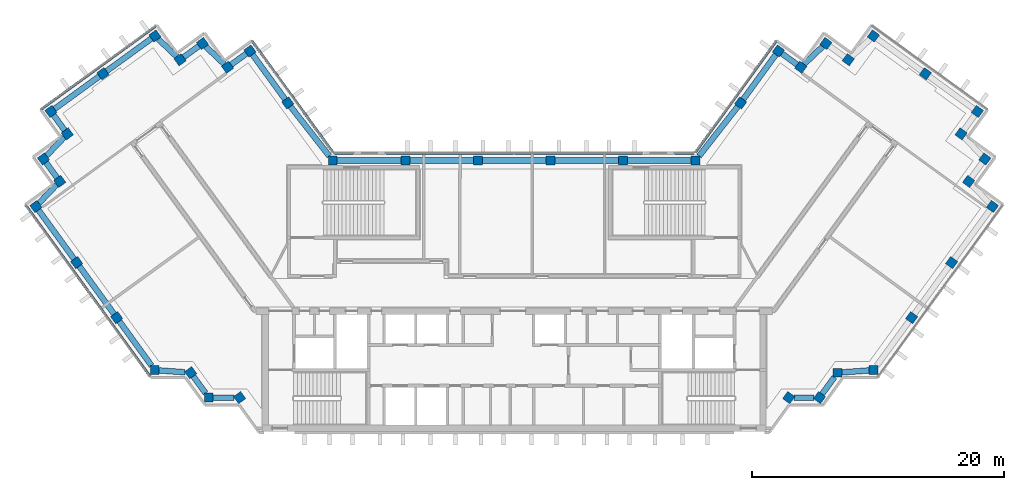
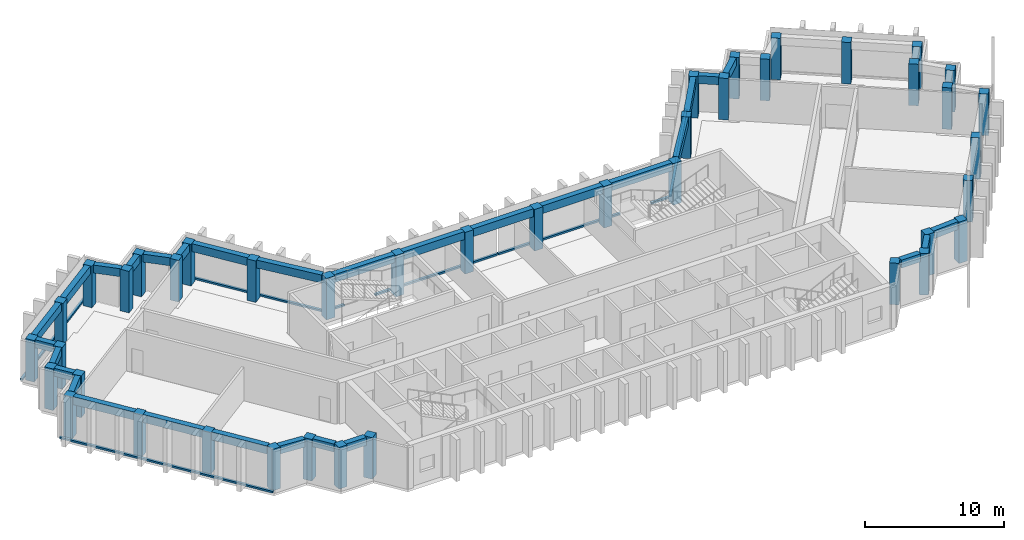
"""IFC4 building model written with IfcOpenShell, lengths in metres."""

from ifc_helpers import new_model, si_unit, direction, frame, origin, origin_2d, place, context, subcontext, project, spatial, rectangle, extrude, material, material_profile, profile_set, type_object, element, aggregate, save


model = new_model("IFC4")

# Units and contexts
model_context = context("Model", 3, precision=1e-05, world=origin(), true_north=direction((0.0, 1.0)))
body_context = subcontext(model_context, "Body", "Model", "MODEL_VIEW")
ifc_project = project(units=[si_unit("LENGTHUNIT", "METRE"), si_unit("AREAUNIT", "SQUARE_METRE"), si_unit("VOLUMEUNIT", "CUBIC_METRE"), si_unit("PLANEANGLEUNIT", "RADIAN"), si_unit("MASSUNIT", "GRAM", prefix="KILO")], contexts=[model_context])

# Site, building, storey
site_placement = place(None, origin())
site = spatial("IfcSite", under=ifc_project, at=site_placement, CompositionType="ELEMENT")
building_placement = place(site_placement, origin())
building = spatial("IfcBuilding", under=site, at=building_placement, Name="Quipu Civic Tower", CompositionType="ELEMENT")
storey_1_placement = place(building_placement, frame((0.0, 0.0, 339.0)))
storey_1 = spatial("IfcBuildingStorey", under=building, at=storey_1_placement, Name="L79", CompositionType="ELEMENT", Elevation=339.0)

# Columns
ifc_material_1 = material(Name="Concrete C40/50", Category="concrete")
ifc_material_profile_1 = material_profile(ifc_material_1, rectangle(XDim=0.699951171875, YDim=0.699951171875, at=origin_2d()), Name="RC700x700")
ifc_profile_set_1 = profile_set([ifc_material_profile_1], Name="Concrete C40/50")
column_type = type_object("IfcColumnType", Name="Perimeter column RC 700x700 C40/50", PredefinedType="COLUMN", material=ifc_profile_set_1)
for number, where, z_axis, x_axis, name in (
    (1, (-17.9736328125, 15.074951171875, 0.0), (0.0, 0.0, 1.0), (-0.587785252292, 0.809016994375, 0.0), "Column L79 W-IN-01"),
    (2, (-20.969970703125, 19.195068359375, 0.0), (0.0, 0.0, 1.0), (-0.587785252292, 0.809016994375, 0.0), "Column L79 T-Wi.0-W22"),
    (3, (-22.749267578125, 17.904296875, 0.0), (0.0, 0.0, 1.0), (-0.587785252292, 0.809016994375, 0.0), "Column L79 T-Wi.1-W22"),
    (4, (-24.739990234375, 19.794921875, 0.0), (0.0, 0.0, 1.0), (-0.587785252292, 0.809016994375, 0.0), "Column L79 T-Wi.2-W22"),
    (5, (-26.51904296875, 18.50048828125, 0.0), (0.0, 0.0, 1.0), (-0.587785252292, 0.809016994375, 0.0), "Column L79 T-Wi.3-W22"),
    (6, (-28.510009765625, 20.389892578125, 0.0), (0.0, 0.0, 1.0), (-0.809016994375, -0.587785252292, 0.0), "Column L79 T-Wi.4-W22"),
    (7, (-32.636962890625, 17.39306640625, 0.0), (0.0, 0.0, 1.0), (-0.809016994375, -0.587785252292, 0.0), "Column L79 TIP-W-01-W22"),
    (8, (-36.764892578125, 14.39501953125, 0.0), (0.0, 0.0, 1.0), (0.587785252292, -0.809016994375, 0.0), "Column L79 T-Wo.0-W22"),
    (9, (-35.470703125, 12.616455078125, 0.0), (0.0, 0.0, 1.0), (-0.809016994375, -0.587785252292, 0.0), "Column L79 T-Wo.1-W22"),
    (10, (-37.360107421875, 10.625, 0.0), (0.0, 0.0, 1.0), (0.587785252292, -0.809016994375, 0.0), "Column L79 T-Wo.2-W22"),
    (11, (-36.068115234375, 8.843994140625, 0.0), (0.0, 0.0, 1.0), (0.587785252292, -0.809016994375, 0.0), "Column L79 T-Wo.3-W22"),
    (12, (-37.9599609375, 6.85498046875, 0.0), (0.0, 0.0, 1.0), (0.587785252292, -0.809016994375, 0.0), "Column L79 T-Wo.4-W22"),
    (13, (-34.722412109375, 2.39990234375, 0.0), (0.0, 0.0, 1.0), (0.587785252292, -0.809016994375, 0.0), "Column L79 W-OUT-02"),
    (14, (-31.54833984375, -1.96875, 0.0), (0.0, 0.0, 1.0), (0.587785252292, -0.809016994375, 0.0), "Column L79 W-OUT-01"),
    (15, (-28.52490234375, -6.1298828125, 0.0), (0.0, 0.0, 1.0), (1.0, 0.0, 0.0), "Column L79 J-Wo.0"),
    (16, (-25.67431640625, -6.3369140625, 0.0), (0.0, 0.0, 1.0), (0.587785252292, -0.809016994375, 0.0), "Column L79 J-Wo.1"),
    (17, (-24.235107421875, -8.31494140625, 0.0), (0.0, 0.0, 1.0), (1.0, 0.0, 0.0), "Column L79 J-Wo.2"),
    (18, (-21.791748046875, -8.31494140625, 0.0), (0.0, 0.0, 1.0), (0.587785252292, -0.809016994375, 0.0), "Column L79 J-Wo.3"),
    (19, (21.791748046875, -8.31494140625, 0.0), (0.0, 0.0, 1.0), (0.587785252292, 0.809016994375, 0.0), "Column L79 J-Eo.1"),
    (20, (24.235107421875, -8.31494140625, 0.0), (0.0, 0.0, 1.0), (0.587785252292, 0.809016994375, 0.0), "Column L79 J-Eo.2"),
    (21, (25.67431640625, -6.3369140625, 0.0), (0.0, 0.0, 1.0), (1.0, 0.0, 0.0), "Column L79 J-Eo.3"),
    (22, (28.52490234375, -6.1298828125, 0.0), (0.0, 0.0, 1.0), (1.0, 0.0, 0.0), "Column L79 J-Eo.4"),
    (23, (31.54833984375, -1.96875, 0.0), (0.0, 0.0, 1.0), (0.587785252292, 0.809016994375, 0.0), "Column L79 E-OUT-01"),
    (24, (34.722412109375, 2.39990234375, 0.0), (0.0, 0.0, 1.0), (0.587785252292, 0.809016994375, 0.0), "Column L79 E-OUT-02"),
    (25, (37.9599609375, 6.85498046875, 0.0), (0.0, 0.0, 1.0), (0.587785252292, 0.809016994375, 0.0), "Column L79 T-Eo.0-E22"),
    (26, (36.068115234375, 8.843994140625, 0.0), (0.0, 0.0, 1.0), (0.587785252292, 0.809016994375, 0.0), "Column L79 T-Eo.1-E22"),
    (27, (37.360107421875, 10.625, 0.0), (0.0, 0.0, 1.0), (0.587785252292, 0.809016994375, 0.0), "Column L79 T-Eo.2-E22"),
    (28, (35.470703125, 12.616455078125, 0.0), (0.0, 0.0, 1.0), (-0.809016994375, 0.587785252292, 0.0), "Column L79 T-Eo.3-E22"),
    (29, (36.764892578125, 14.39501953125, 0.0), (0.0, 0.0, 1.0), (-0.809016994375, 0.587785252292, 0.0), "Column L79 T-Eo.4-E22"),
    (30, (32.636962890625, 17.39306640625, 0.0), (0.0, 0.0, 1.0), (-0.809016994375, 0.587785252292, 0.0), "Column L79 TIP-E-01-E22"),
    (31, (28.510009765625, 20.389892578125, 0.0), (0.0, 0.0, 1.0), (-0.587785252292, -0.809016994375, 0.0), "Column L79 T-Ei.0-E22"),
    (32, (26.51904296875, 18.50048828125, 0.0), (0.0, 0.0, 1.0), (-0.809016994375, 0.587785252292, 0.0), "Column L79 T-Ei.1-E22"),
    (33, (24.739990234375, 19.794921875, 0.0), (0.0, 0.0, 1.0), (-0.587785252292, -0.809016994375, 0.0), "Column L79 T-Ei.2-E22"),
    (34, (22.749267578125, 17.904296875, 0.0), (0.0, 0.0, 1.0), (-0.587785252292, -0.809016994375, 0.0), "Column L79 T-Ei.3-E22"),
    (35, (20.969970703125, 19.195068359375, 0.0), (0.0, 0.0, 1.0), (-0.587785252292, -0.809016994375, 0.0), "Column L79 T-Ei.4-E22"),
    (36, (17.9736328125, 15.074951171875, 0.0), (0.0, 0.0, 1.0), (-0.587785252292, -0.809016994375, 0.0), "Column L79 E-IN-01"),
    (37, (14.395263671875, 10.5, 0.0), (0.0, 0.0, 1.0), (-1.0, 0.0, 0.0), "Column L79 J-Ei.0"),
    (38, (8.63720703125, 10.5, 0.0), (0.0, 0.0, 1.0), (-1.0, 0.0, 0.0), "Column L79 FRONT-01"),
    (39, (2.87890625, 10.5, 0.0), (0.0, 0.0, 1.0), (-1.0, 0.0, 0.0), "Column L79 FRONT-02"),
    (40, (-2.87890625, 10.5, 0.0), (0.0, 0.0, 1.0), (-1.0, 0.0, 0.0), "Column L79 FRONT-03"),
    (41, (-8.63720703125, 10.5, 0.0), (0.0, 0.0, 1.0), (-1.0, 0.0, 0.0), "Column L79 FRONT-04"),
    (42, (-14.395263671875, 10.5, 0.0), (0.0, 0.0, 1.0), (-1.0, 0.0, 0.0), "Column L79 J-Wi.0"),
):
    element("IfcColumn", number, at=place(storey_1_placement, frame(where, z_axis=z_axis, x_axis=x_axis)), inside=storey_1, type_object=column_type, Name=name, PredefinedType="COLUMN", context=body_context, shape_type="SweptSolid", body=[
        extrude(rectangle(XDim=0.699951171875, YDim=0.699951171875, at=origin_2d()), origin(), (0.0, 0.0, 1.0), 3.64990234375),
    ])

# Beams
ifc_material_2 = material(Name="Concrete C50/60", Category="concrete")
ifc_material_profile_2 = material_profile(ifc_material_2, rectangle(XDim=0.449951171875, YDim=0.699951171875, at=origin_2d()), Name="RC450x700")
ifc_profile_set_2 = profile_set([ifc_material_profile_2], Name="Concrete C50/60")
beam_type = type_object("IfcBeamType", Name="Spandrel beam RC 450x700 C50/60", PredefinedType="SPANDREL", material=ifc_profile_set_2)
beam_1_placement = place(storey_1_placement, frame((-18.179443359375, 15.358154296875, 3.300048828125), z_axis=(-0.588201428764, 0.808714460857, 0.0), x_axis=(-0.808714460857, -0.588201428764, 0.0)))
element("IfcBeam", 43, at=beam_1_placement, inside=storey_1, type_object=beam_type, Name="Spandrel beam L79 W-IN-01 to T-Wi.0-W22", PredefinedType="SPANDREL", context=body_context, shape_type="SweptSolid", body=[
    extrude(rectangle(XDim=0.449951171875, YDim=0.699951171875, at=origin_2d()), origin(), (0.0, 0.0, 1.0), 4.394287109375),
])
beam_2_placement = place(storey_1_placement, frame((-21.25341796875, 18.989501953125, 3.300048828125), z_axis=(-0.809461336076, -0.587173181776, 0.0), x_axis=(0.587173181776, -0.809461336076, 0.0)))
element("IfcBeam", 44, at=beam_2_placement, inside=storey_1, type_object=beam_type, Name="Spandrel beam L79 T-Wi.0-W22 to T-Wi.1-W22", PredefinedType="SPANDREL", context=body_context, shape_type="SweptSolid", body=[
    extrude(rectangle(XDim=0.449951171875, YDim=0.699951171875, at=origin_2d()), origin(), (0.0, 0.0, 1.0), 1.498046875),
])
beam_3_placement = place(storey_1_placement, frame((-23.00732421875, 18.1494140625, 3.300048828125), z_axis=(-0.72511931772, 0.6886232461, 0.0), x_axis=(-0.6886232461, -0.72511931772, 0.0)))
element("IfcBeam", 45, at=beam_3_placement, inside=storey_1, type_object=beam_type, Name="Spandrel beam L79 T-Wi.1-W22 to T-Wi.2-W22", PredefinedType="SPANDREL", context=body_context, shape_type="SweptSolid", body=[
    extrude(rectangle(XDim=0.449951171875, YDim=0.699951171875, at=origin_2d()), origin(), (0.0, 0.0, 1.0), 2.03369140625),
])
beam_4_placement = place(storey_1_placement, frame((-25.02294921875, 19.589111328125, 3.300048828125), z_axis=(-0.808644589435, -0.588297482553, 0.0), x_axis=(0.588297482553, -0.808644589435, 0.0)))
element("IfcBeam", 46, at=beam_4_placement, inside=storey_1, type_object=beam_type, Name="Spandrel beam L79 T-Wi.2-W22 to T-Wi.3-W22", PredefinedType="SPANDREL", context=body_context, shape_type="SweptSolid", body=[
    extrude(rectangle(XDim=0.449951171875, YDim=0.699951171875, at=origin_2d()), origin(), (0.0, 0.0, 1.0), 1.500244140625),
])
beam_5_placement = place(storey_1_placement, frame((-26.777099609375, 18.74560546875, 3.300048828125), z_axis=(-0.725359138958, 0.688370626574, 0.0), x_axis=(-0.688370626574, -0.725359138958, 0.0)))
element("IfcBeam", 47, at=beam_5_placement, inside=storey_1, type_object=beam_type, Name="Spandrel beam L79 T-Wi.3-W22 to T-Wi.4-W22", PredefinedType="SPANDREL", context=body_context, shape_type="SweptSolid", body=[
    extrude(rectangle(XDim=0.449951171875, YDim=0.699951171875, at=origin_2d()), origin(), (0.0, 0.0, 1.0), 2.032958984375),
])
beam_6_placement = place(storey_1_placement, frame((-28.793212890625, 20.184326171875, 3.300048828125), z_axis=(-0.809146152767, -0.587607439931, 0.0), x_axis=(0.587607439931, -0.809146152767, 0.0)))
element("IfcBeam", 48, at=beam_6_placement, inside=storey_1, type_object=beam_type, Name="Spandrel beam L79 T-Wi.4-W22 to TIP-W-01-W22", PredefinedType="SPANDREL", context=body_context, shape_type="SweptSolid", body=[
    extrude(rectangle(XDim=0.449951171875, YDim=0.699951171875, at=origin_2d()), origin(), (0.0, 0.0, 1.0), 4.400390625),
])
beam_7_placement = place(storey_1_placement, frame((-32.920166015625, 17.187255859375, 3.300048828125), z_axis=(-0.809117270763, -0.587647208921, 0.0), x_axis=(0.587647208921, -0.809117270763, 0.0)))
element("IfcBeam", 49, at=beam_7_placement, inside=storey_1, type_object=beam_type, Name="Spandrel beam L79 TIP-W-01-W22 to T-Wo.0-W22", PredefinedType="SPANDREL", context=body_context, shape_type="SweptSolid", body=[
    extrude(rectangle(XDim=0.449951171875, YDim=0.699951171875, at=origin_2d()), origin(), (0.0, 0.0, 1.0), 4.40185546875),
])
beam_8_placement = place(storey_1_placement, frame((-36.55908203125, 14.112060546875, 3.300048828125), z_axis=(0.588345920092, -0.808609348394, 0.0), x_axis=(0.808609348394, 0.588345920092, 0.0)))
element("IfcBeam", 50, at=beam_8_placement, inside=storey_1, type_object=beam_type, Name="Spandrel beam L79 T-Wo.0-W22 to T-Wo.1-W22", PredefinedType="SPANDREL", context=body_context, shape_type="SweptSolid", body=[
    extrude(rectangle(XDim=0.449951171875, YDim=0.699951171875, at=origin_2d()), origin(), (0.0, 0.0, 1.0), 1.499755859375),
])
beam_9_placement = place(storey_1_placement, frame((-35.7158203125, 12.358154296875, 3.300048828125), z_axis=(-0.688247466856, -0.725475998477, 0.0), x_axis=(0.725475998477, -0.688247466856, 0.0)))
element("IfcBeam", 51, at=beam_9_placement, inside=storey_1, type_object=beam_type, Name="Spandrel beam L79 T-Wo.1-W22 to T-Wo.2-W22", PredefinedType="SPANDREL", context=body_context, shape_type="SweptSolid", body=[
    extrude(rectangle(XDim=0.449951171875, YDim=0.699951171875, at=origin_2d()), origin(), (0.0, 0.0, 1.0), 2.032958984375),
])
beam_10_placement = place(storey_1_placement, frame((-37.154541015625, 10.341796875, 3.300048828125), z_axis=(0.587164895097, -0.809467347066, 0.0), x_axis=(0.809467347066, 0.587164895097, 0.0)))
element("IfcBeam", 52, at=beam_10_placement, inside=storey_1, type_object=beam_type, Name="Spandrel beam L79 T-Wo.2-W22 to T-Wo.3-W22", PredefinedType="SPANDREL", context=body_context, shape_type="SweptSolid", body=[
    extrude(rectangle(XDim=0.449951171875, YDim=0.699951171875, at=origin_2d()), origin(), (0.0, 0.0, 1.0), 1.500244140625),
])
beam_11_placement = place(storey_1_placement, frame((-36.3134765625, 8.586181640625, 3.300048828125), z_axis=(-0.689175330605, -0.724594620244, 0.0), x_axis=(0.724594620244, -0.689175330605, 0.0)))
element("IfcBeam", 53, at=beam_11_placement, inside=storey_1, type_object=beam_type, Name="Spandrel beam L79 T-Wo.3-W22 to T-Wo.4-W22", PredefinedType="SPANDREL", context=body_context, shape_type="SweptSolid", body=[
    extrude(rectangle(XDim=0.449951171875, YDim=0.699951171875, at=origin_2d()), origin(), (0.0, 0.0, 1.0), 2.033447265625),
])
beam_12_placement = place(storey_1_placement, frame((-37.754150390625, 6.57177734375, 3.300048828125), z_axis=(0.587905928359, -0.808929304328, 0.0), x_axis=(0.808929304328, 0.587905928359, 0.0)))
element("IfcBeam", 54, at=beam_12_placement, inside=storey_1, type_object=beam_type, Name="Spandrel beam L79 T-Wo.4-W22 to W-OUT-02", PredefinedType="SPANDREL", context=body_context, shape_type="SweptSolid", body=[
    extrude(rectangle(XDim=0.449951171875, YDim=0.699951171875, at=origin_2d()), origin(), (0.0, 0.0, 1.0), 4.80712890625),
])
beam_13_placement = place(storey_1_placement, frame((-34.5166015625, 2.116943359375, 3.300048828125), z_axis=(0.587788656305, -0.809014521204, 0.0), x_axis=(0.809014521204, 0.587788656305, 0.0)))
element("IfcBeam", 55, at=beam_13_placement, inside=storey_1, type_object=beam_type, Name="Spandrel beam L79 W-OUT-02 to W-OUT-01", PredefinedType="SPANDREL", context=body_context, shape_type="SweptSolid", body=[
    extrude(rectangle(XDim=0.449951171875, YDim=0.699951171875, at=origin_2d()), origin(), (0.0, 0.0, 1.0), 4.7001953125),
])
beam_14_placement = place(storey_1_placement, frame((-31.342529296875, -2.251953125, 3.300048828125), z_axis=(0.58777550284, -0.809024077677, 0.0), x_axis=(0.809024077677, 0.58777550284, 0.0)))
element("IfcBeam", 56, at=beam_14_placement, inside=storey_1, type_object=beam_type, Name="Spandrel beam L79 W-OUT-01 to J-Wo.0", PredefinedType="SPANDREL", context=body_context, shape_type="SweptSolid", body=[
    extrude(rectangle(XDim=0.449951171875, YDim=0.699951171875, at=origin_2d()), origin(), (0.0, 0.0, 1.0), 4.36083984375),
])
beam_15_placement = place(storey_1_placement, frame((-28.175048828125, -6.155517578125, 3.300048828125), z_axis=(0.99737333325, -0.072432272649, 0.0), x_axis=(0.072432272649, 0.99737333325, 0.0)))
element("IfcBeam", 57, at=beam_15_placement, inside=storey_1, type_object=beam_type, Name="Spandrel beam L79 J-Wo.0 to J-Wo.1", PredefinedType="SPANDREL", context=body_context, shape_type="SweptSolid", body=[
    extrude(rectangle(XDim=0.449951171875, YDim=0.699951171875, at=origin_2d()), origin(), (0.0, 0.0, 1.0), 2.04931640625),
])
beam_16_placement = place(storey_1_placement, frame((-25.468505859375, -6.6201171875, 3.300048828125), z_axis=(0.588407300614, -0.80856468423, 0.0), x_axis=(0.80856468423, 0.588407300614, 0.0)))
element("IfcBeam", 58, at=beam_16_placement, inside=storey_1, type_object=beam_type, Name="Spandrel beam L79 J-Wo.1 to J-Wo.2", PredefinedType="SPANDREL", context=body_context, shape_type="SweptSolid", body=[
    extrude(rectangle(XDim=0.449951171875, YDim=0.699951171875, at=origin_2d()), origin(), (0.0, 0.0, 1.0), 1.663330078125),
])
beam_17_placement = place(storey_1_placement, frame((-23.885009765625, -8.31494140625, 3.300048828125), z_axis=(1.0, 0.0, 0.0), x_axis=(0.0, 1.0, 0.0)))
element("IfcBeam", 59, at=beam_17_placement, inside=storey_1, type_object=beam_type, Name="Spandrel beam L79 J-Wo.2 to J-Wo.3", PredefinedType="SPANDREL", context=body_context, shape_type="SweptSolid", body=[
    extrude(rectangle(XDim=0.449951171875, YDim=0.699951171875, at=origin_2d()), origin(), (0.0, 0.0, 1.0), 1.66064453125),
])
beam_18_placement = place(storey_1_placement, frame((22.224365234375, -8.31494140625, 3.300048828125), z_axis=(1.0, 0.0, 0.0), x_axis=(0.0, 1.0, 0.0)))
element("IfcBeam", 60, at=beam_18_placement, inside=storey_1, type_object=beam_type, Name="Spandrel beam L79 J-Eo.1 to J-Eo.2", PredefinedType="SPANDREL", context=body_context, shape_type="SweptSolid", body=[
    extrude(rectangle(XDim=0.449951171875, YDim=0.699951171875, at=origin_2d()), origin(), (0.0, 0.0, 1.0), 1.578125),
])
beam_19_placement = place(storey_1_placement, frame((24.44091796875, -8.031982421875, 3.300048828125), z_axis=(0.588407300614, 0.80856468423, 0.0), x_axis=(-0.80856468423, 0.588407300614, 0.0)))
element("IfcBeam", 61, at=beam_19_placement, inside=storey_1, type_object=beam_type, Name="Spandrel beam L79 J-Eo.2 to J-Eo.3", PredefinedType="SPANDREL", context=body_context, shape_type="SweptSolid", body=[
    extrude(rectangle(XDim=0.449951171875, YDim=0.699951171875, at=origin_2d()), origin(), (0.0, 0.0, 1.0), 1.663330078125),
])
beam_20_placement = place(storey_1_placement, frame((26.0244140625, -6.3115234375, 3.300048828125), z_axis=(0.997379352029, 0.072349347934, 0.0), x_axis=(-0.072349347934, 0.997379352029, 0.0)))
element("IfcBeam", 62, at=beam_20_placement, inside=storey_1, type_object=beam_type, Name="Spandrel beam L79 J-Eo.3 to J-Eo.4", PredefinedType="SPANDREL", context=body_context, shape_type="SweptSolid", body=[
    extrude(rectangle(XDim=0.449951171875, YDim=0.699951171875, at=origin_2d()), origin(), (0.0, 0.0, 1.0), 2.15625),
])
beam_21_placement = place(storey_1_placement, frame((24.48193359375, 19.5498046875, 3.300048828125), z_axis=(-0.72511931772, -0.6886232461, 0.0), x_axis=(0.6886232461, -0.72511931772, 0.0)))
element("IfcBeam", 63, at=beam_21_placement, inside=storey_1, type_object=beam_type, Name="Spandrel beam L79 T-Ei.2-E22 to T-Ei.3-E22", PredefinedType="SPANDREL", context=body_context, shape_type="SweptSolid", body=[
    extrude(rectangle(XDim=0.449951171875, YDim=0.699951171875, at=origin_2d()), origin(), (0.0, 0.0, 1.0), 2.03369140625),
])
beam_22_placement = place(storey_1_placement, frame((22.466064453125, 18.10986328125, 3.300048828125), z_axis=(-0.809461336076, 0.587173181776, 0.0), x_axis=(-0.587173181776, -0.809461336076, 0.0)))
element("IfcBeam", 64, at=beam_22_placement, inside=storey_1, type_object=beam_type, Name="Spandrel beam L79 T-Ei.3-E22 to T-Ei.4-E22", PredefinedType="SPANDREL", context=body_context, shape_type="SweptSolid", body=[
    extrude(rectangle(XDim=0.449951171875, YDim=0.699951171875, at=origin_2d()), origin(), (0.0, 0.0, 1.0), 1.498046875),
])
beam_23_placement = place(storey_1_placement, frame((20.76416015625, 18.911865234375, 3.300048828125), z_axis=(-0.588201428764, -0.808714460857, 0.0), x_axis=(0.808714460857, -0.588201428764, 0.0)))
element("IfcBeam", 65, at=beam_23_placement, inside=storey_1, type_object=beam_type, Name="Spandrel beam L79 T-Ei.4-E22 to E-IN-01", PredefinedType="SPANDREL", context=body_context, shape_type="SweptSolid", body=[
    extrude(rectangle(XDim=0.449951171875, YDim=0.699951171875, at=origin_2d()), origin(), (0.0, 0.0, 1.0), 4.394287109375),
])
beam_24_placement = place(storey_1_placement, frame((17.7578125, 14.799072265625, 3.300048828125), z_axis=(-0.616106034519, -0.787663223865, 0.0), x_axis=(0.787663223865, -0.616106034519, 0.0)))
element("IfcBeam", 66, at=beam_24_placement, inside=storey_1, type_object=beam_type, Name="Spandrel beam L79 E-IN-01 to J-Ei.0", PredefinedType="SPANDREL", context=body_context, shape_type="SweptSolid", body=[
    extrude(rectangle(XDim=0.449951171875, YDim=0.699951171875, at=origin_2d()), origin(), (0.0, 0.0, 1.0), 5.013427734375),
])
for number, where, z_axis, x_axis, name in (
    (67, (14.045166015625, 10.5, 3.300048828125), (-1.0, 0.0, 0.0), (0.0, -1.0, 0.0), "Spandrel beam L79 J-Ei.0 to FRONT-01"),
    (68, (8.287109375, 10.5, 3.300048828125), (-1.0, 0.0, 0.0), (0.0, -1.0, 0.0), "Spandrel beam L79 FRONT-01 to FRONT-02"),
    (69, (2.529052734375, 10.5, 3.300048828125), (-1.0, 0.0, 0.0), (0.0, -1.0, 0.0), "Spandrel beam L79 FRONT-02 to FRONT-03"),
    (70, (-3.22900390625, 10.5, 3.300048828125), (-1.0, 0.0, 0.0), (0.0, -1.0, 0.0), "Spandrel beam L79 FRONT-03 to FRONT-04"),
    (71, (-8.987060546875, 10.5, 3.300048828125), (-1.0, 0.0, 0.0), (0.0, -1.0, 0.0), "Spandrel beam L79 FRONT-04 to J-Wi.0"),
):
    element("IfcBeam", number, at=place(storey_1_placement, frame(where, z_axis=z_axis, x_axis=x_axis)), inside=storey_1, type_object=beam_type, Name=name, PredefinedType="SPANDREL", context=body_context, shape_type="SweptSolid", body=[
        extrude(rectangle(XDim=0.449951171875, YDim=0.699951171875, at=origin_2d()), origin(), (0.0, 0.0, 1.0), 5.05810546875),
    ])
beam_25_placement = place(storey_1_placement, frame((-14.6689453125, 10.85009765625, 3.300048828125), z_axis=(-0.616106034519, 0.787663223865, 0.0), x_axis=(-0.787663223865, -0.616106034519, 0.0)))
element("IfcBeam", 72, at=beam_25_placement, inside=storey_1, type_object=beam_type, Name="Spandrel beam L79 J-Wi.0 to W-IN-01", PredefinedType="SPANDREL", context=body_context, shape_type="SweptSolid", body=[
    extrude(rectangle(XDim=0.449951171875, YDim=0.699951171875, at=origin_2d()), origin(), (0.0, 0.0, 1.0), 5.013427734375),
])

# Storey
storey_2_placement = place(building_placement, frame((0.0, 0.0, 335.0)))
storey_2 = spatial("IfcBuildingStorey", under=building, at=storey_2_placement, Name="L78", CompositionType="ELEMENT", Elevation=335.0)

# Curtain wall, member
ifc_material_3 = material(Name="Insulated glass unit", Category="glass")
curtain_wall_type = type_object("IfcCurtainWallType", Name="Office curtain wall CW1", PredefinedType="NOTDEFINED", material=ifc_material_3)
curtain_wall_1_placement = place(storey_2_placement, origin())
curtain_wall_1 = element("IfcCurtainWall", 73, at=curtain_wall_1_placement, inside=storey_2, type_object=curtain_wall_type, Name="Office curtain wall CW1 L77 run 1", PredefinedType="NOTDEFINED")
ifc_material_4 = material(Name="Anodised aluminium", Category="aluminium")
ifc_material_profile_3 = material_profile(ifc_material_4, rectangle(XDim=0.199951171875, YDim=0.159912109375, at=origin_2d()), Name="RECT 200x160")
ifc_profile_set_3 = profile_set([ifc_material_profile_3], Name="Anodised aluminium")
member_type = type_object("IfcMemberType", Name="Transom CW1", PredefinedType="USERDEFINED", material=ifc_profile_set_3)
member_1_placement = place(storey_1_placement, frame((-14.39111328125, 11.164794921875, 0.080078125), z_axis=(-0.587796859727, 0.809008560953, 0.0), x_axis=(-0.809008560953, -0.587796859727, 0.0)))
member_1 = element("IfcMember", 74, at=member_1_placement, inside=storey_1, type_object=member_type, Name="CW1 transom 1.3", ObjectType="TRANSOM", PredefinedType="USERDEFINED", context=body_context, shape_type="SweptSolid", body=[
    extrude(rectangle(XDim=0.199951171875, YDim=0.159912109375, at=origin_2d()), origin(), (0.0, 0.0, 1.0), 10.88427734375),
])
aggregate(curtain_wall_1, [member_1])

curtain_wall_2_placement = place(storey_2_placement, origin())
curtain_wall_2 = element("IfcCurtainWall", 75, at=curtain_wall_2_placement, inside=storey_2, type_object=curtain_wall_type, Name="Office curtain wall CW1 L77 run 6", PredefinedType="NOTDEFINED")
member_2_placement = place(storey_1_placement, frame((-28.443359375, 21.1826171875, 0.080078125), z_axis=(-0.809022463805, -0.587777724194, 0.0), x_axis=(0.587777724194, -0.809022463805, 0.0)))
member_2 = element("IfcMember", 76, at=member_2_placement, inside=storey_1, type_object=member_type, Name="CW1 transom 1.3", ObjectType="TRANSOM", PredefinedType="USERDEFINED", context=body_context, shape_type="SweptSolid", body=[
    extrude(rectangle(XDim=0.199951171875, YDim=0.159912109375, at=origin_2d()), origin(), (0.0, 0.0, 1.0), 11.240234375),
])
aggregate(curtain_wall_2, [member_2])

# Curtain wall, members
curtain_wall_3_placement = place(storey_2_placement, origin())
curtain_wall_3 = element("IfcCurtainWall", 77, at=curtain_wall_3_placement, inside=storey_2, type_object=curtain_wall_type, Name="Office curtain wall CW1 L77 run 11", PredefinedType="NOTDEFINED")
member_3_placement = place(storey_1_placement, frame((-38.7490234375, 6.92138671875, 0.080078125), z_axis=(0.587779098815, -0.809021465102, 0.0), x_axis=(0.809021465102, 0.587779098815, 0.0)))
member_3 = element("IfcMember", 78, at=member_3_placement, inside=storey_1, type_object=member_type, Name="CW1 transom 1.3", ObjectType="TRANSOM", PredefinedType="USERDEFINED", context=body_context, shape_type="SweptSolid", body=[
    extrude(rectangle(XDim=0.199951171875, YDim=0.159912109375, at=origin_2d()), origin(), (0.0, 0.0, 1.0), 8.35791015625),
])
member_4_placement = place(storey_1_placement, frame((-33.78955078125, 0.094970703125, 0.080078125), z_axis=(0.587812107925, -0.808997481935, 0.0), x_axis=(0.808997481935, 0.587812107925, 0.0)))
member_4 = element("IfcMember", 79, at=member_4_placement, inside=storey_1, type_object=member_type, Name="CW1 transom 2.3", ObjectType="TRANSOM", PredefinedType="USERDEFINED", context=body_context, shape_type="SweptSolid", body=[
    extrude(rectangle(XDim=0.199951171875, YDim=0.159912109375, at=origin_2d()), origin(), (0.0, 0.0, 1.0), 8.35791015625),
])
aggregate(curtain_wall_3, [member_3, member_4])

# Curtain wall, member
curtain_wall_4_placement = place(storey_2_placement, origin())
curtain_wall_4 = element("IfcCurtainWall", 80, at=curtain_wall_4_placement, inside=storey_2, type_object=curtain_wall_type, Name="Office curtain wall CW1 L77 run 26", PredefinedType="NOTDEFINED")
member_5_placement = place(storey_1_placement, frame((20.788818359375, 19.97021484375, 0.080078125), z_axis=(-0.587796859727, -0.809008560953, 0.0), x_axis=(0.809008560953, -0.587796859727, 0.0)))
member_5 = element("IfcMember", 81, at=member_5_placement, inside=storey_1, type_object=member_type, Name="CW1 transom 1.3", ObjectType="TRANSOM", PredefinedType="USERDEFINED", context=body_context, shape_type="SweptSolid", body=[
    extrude(rectangle(XDim=0.199951171875, YDim=0.159912109375, at=origin_2d()), origin(), (0.0, 0.0, 1.0), 10.88427734375),
])
aggregate(curtain_wall_4, [member_5])

curtain_wall_5_placement = place(storey_2_placement, origin())
curtain_wall_5 = element("IfcCurtainWall", 82, at=curtain_wall_5_placement, inside=storey_2, type_object=curtain_wall_type, Name="Office curtain wall CW1 L77 run 27", PredefinedType="NOTDEFINED")
member_6_placement = place(storey_1_placement, frame((14.26416015625, 11.10009765625, 0.080078125), z_axis=(-1.0, 0.0, 0.0), x_axis=(0.0, -1.0, 0.0)))
member_6 = element("IfcMember", 83, at=member_6_placement, inside=storey_1, type_object=member_type, Name="CW1 transom 1.3", ObjectType="TRANSOM", PredefinedType="USERDEFINED", context=body_context, shape_type="SweptSolid", body=[
    extrude(rectangle(XDim=0.199951171875, YDim=0.159912109375, at=origin_2d()), origin(), (0.0, 0.0, 1.0), 1.529052734375),
])
aggregate(curtain_wall_5, [member_6])

# Curtain wall, members
curtain_wall_6_placement = place(storey_2_placement, origin())
curtain_wall_6 = element("IfcCurtainWall", 84, at=curtain_wall_6_placement, inside=storey_2, type_object=curtain_wall_type, Name="Office curtain wall CW1 L77 run 29", PredefinedType="NOTDEFINED")
member_7_placement = place(storey_1_placement, frame((10.18359375, 11.10009765625, 0.080078125), z_axis=(-1.0, 0.0, 0.0), x_axis=(0.0, -1.0, 0.0)))
member_7 = element("IfcMember", 85, at=member_7_placement, inside=storey_1, type_object=member_type, Name="CW1 transom 1.3", ObjectType="TRANSOM", PredefinedType="USERDEFINED", context=body_context, shape_type="SweptSolid", body=[
    extrude(rectangle(XDim=0.199951171875, YDim=0.159912109375, at=origin_2d()), origin(), (0.0, 0.0, 1.0), 10.1435546875),
])
member_8_placement = place(storey_1_placement, frame((-0.0400390625, 11.10009765625, 0.080078125), z_axis=(-1.0, 0.0, 0.0), x_axis=(0.0, -1.0, 0.0)))
member_8 = element("IfcMember", 86, at=member_8_placement, inside=storey_1, type_object=member_type, Name="CW1 transom 2.3", ObjectType="TRANSOM", PredefinedType="USERDEFINED", context=body_context, shape_type="SweptSolid", body=[
    extrude(rectangle(XDim=0.199951171875, YDim=0.159912109375, at=origin_2d()), origin(), (0.0, 0.0, 1.0), 10.1435546875),
])
aggregate(curtain_wall_6, [member_7, member_8])

# Curtain wall, member
curtain_wall_7_placement = place(storey_2_placement, origin())
curtain_wall_7 = element("IfcCurtainWall", 87, at=curtain_wall_7_placement, inside=storey_2, type_object=curtain_wall_type, Name="Office curtain wall CW1 L77 run 31", PredefinedType="NOTDEFINED")
member_9_placement = place(storey_1_placement, frame((-12.735107421875, 11.10009765625, 0.080078125), z_axis=(-1.0, 0.0, 0.0), x_axis=(0.0, -1.0, 0.0)))
member_9 = element("IfcMember", 88, at=member_9_placement, inside=storey_1, type_object=member_type, Name="CW1 transom 1.3", ObjectType="TRANSOM", PredefinedType="USERDEFINED", context=body_context, shape_type="SweptSolid", body=[
    extrude(rectangle(XDim=0.199951171875, YDim=0.159912109375, at=origin_2d()), origin(), (0.0, 0.0, 1.0), 1.529052734375),
])
aggregate(curtain_wall_7, [member_9])

save(model, "model.ifc")
